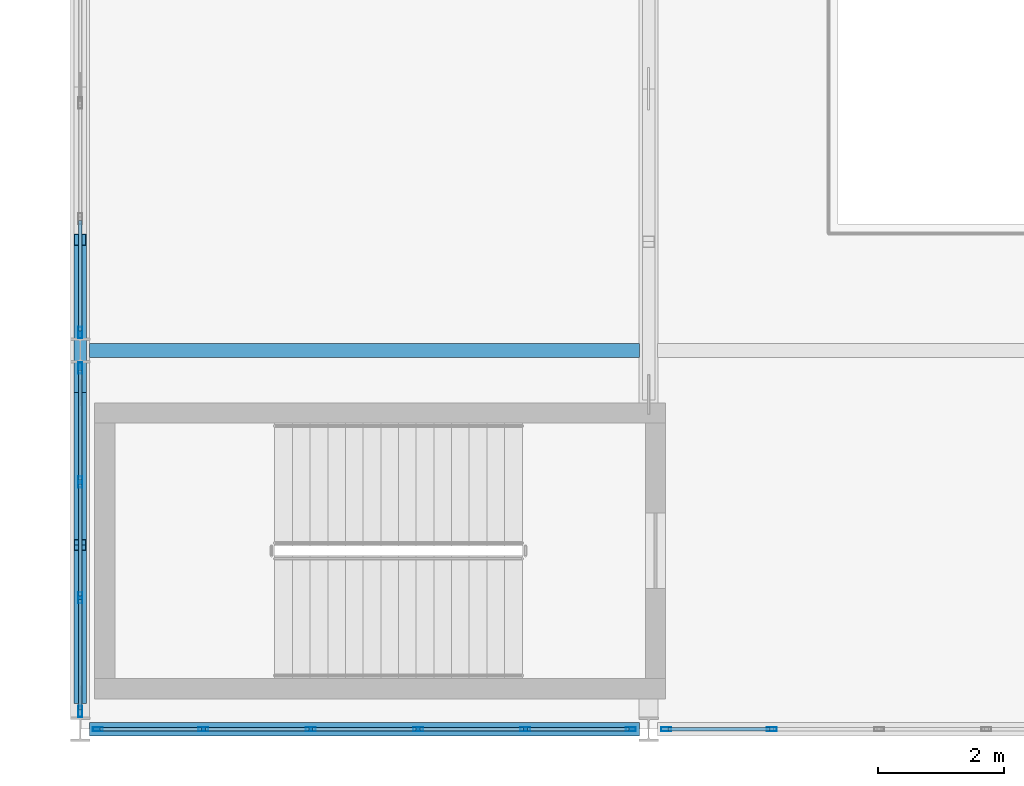
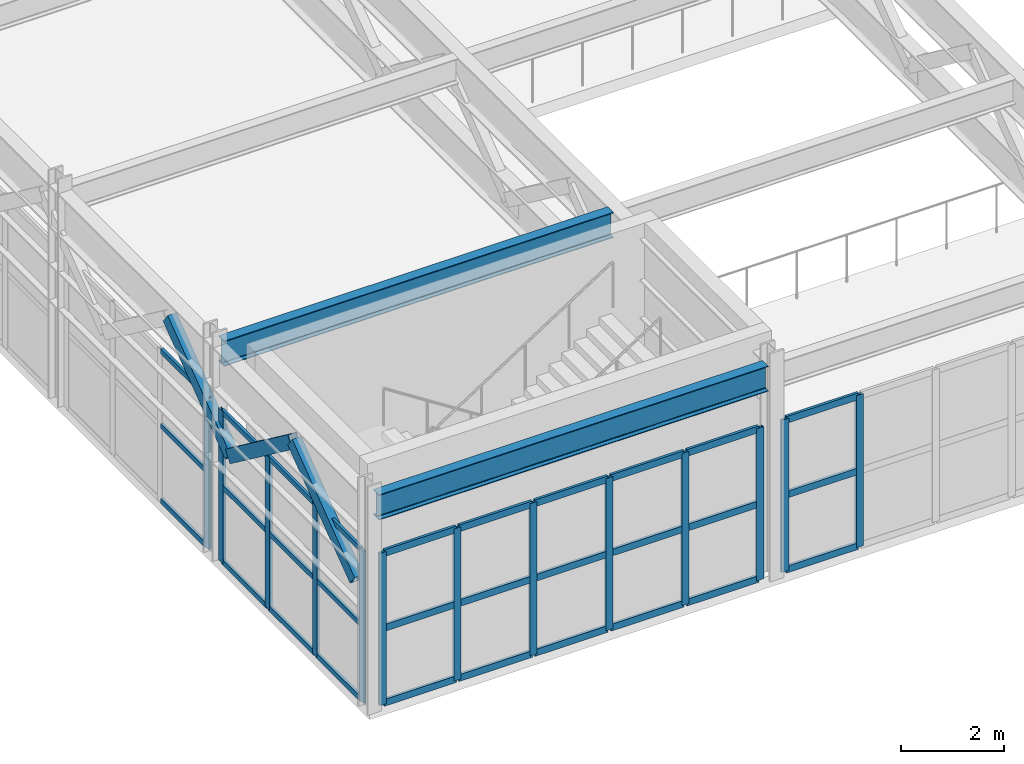
# One storey, part 20 of 210: 46 members, 2 beams, 4 elements without a shape of their own.
"""IFC4 building model written with IfcOpenShell, lengths in metres."""

from ifc_helpers import new_model, si_unit, direction, frame, origin, origin_2d, place, context, subcontext, project, spatial, hollow_rectangle, i_section, extrude, material, material_profile, profile_set, type_object, element, aggregate, save


model = new_model("IFC4")

# Units and contexts
model_context = context("Model", 3, precision=1e-05, world=origin(), true_north=direction((0.0, 1.0)))
body_context = subcontext(model_context, "Body", "Model", "MODEL_VIEW")
ifc_project = project(units=[si_unit("LENGTHUNIT", "METRE"), si_unit("AREAUNIT", "SQUARE_METRE"), si_unit("VOLUMEUNIT", "CUBIC_METRE"), si_unit("PLANEANGLEUNIT", "RADIAN"), si_unit("MASSUNIT", "GRAM", prefix="KILO")], contexts=[model_context])

# Site, building, storey
site_placement = place(None, origin())
site = spatial("IfcSite", under=ifc_project, at=site_placement, CompositionType="ELEMENT")
building_placement = place(site_placement, origin())
building = spatial("IfcBuilding", under=site, at=building_placement, Name="Kaldris Quays Convention Centre", CompositionType="ELEMENT")
storey_placement = place(building_placement, frame((0.0, 0.0, 6.0)))
storey = spatial("IfcBuildingStorey", under=building, at=storey_placement, Name="L01", CompositionType="ELEMENT", Elevation=6.0)

# Curtain wall, members
ifc_material_1 = material(Name="Anodized aluminium AW-6060 and triple glazing", Category="aluminium")
curtain_wall_type = type_object("IfcCurtainWallType", Name="UNITISED CURTAIN WALL CW05", PredefinedType="NOTDEFINED", material=ifc_material_1)
curtain_wall_1_placement = place(storey_placement, origin())
curtain_wall_1 = element("IfcCurtainWall", 1, at=curtain_wall_1_placement, inside=storey, type_object=curtain_wall_type, Name="L01 Unitised Curtain Wall CW05 59", PredefinedType="NOTDEFINED")
ifc_material_2 = material(Name="Anodized aluminium AW-6060", Category="aluminium")
ifc_material_profile_1 = material_profile(ifc_material_2, hollow_rectangle(XDim=0.06005859375, YDim=0.159912109375, WallThickness=0.00390625, at=origin_2d()), Name="RHS 160x60x4")
ifc_profile_set_1 = profile_set([ifc_material_profile_1], Name="Anodized aluminium AW-6060")
member_type_1 = type_object("IfcMemberType", Name="CURTAIN MULLION CWM1", PredefinedType="MULLION", material=ifc_profile_set_1)
member_1_placement = place(storey_placement, frame((20.280029296875, 16.0, 0.0), z_axis=(0.0, 0.0, 1.0), x_axis=(0.0, 1.0, 0.0)))
member_1 = element("IfcMember", 2, at=member_1_placement, type_object=member_type_1, Name="CW05 mullion 1", PredefinedType="MULLION", context=body_context, shape_type="SweptSolid", body=[
    extrude(hollow_rectangle(XDim=0.06005859375, YDim=0.159912109375, WallThickness=0.00390625, at=origin_2d()), origin(), (0.0, 0.0, 1.0), 3.60009765625),
])
member_2_placement = place(storey_placement, frame((21.949951171875, 16.0, 0.0), z_axis=(0.0, 0.0, 1.0), x_axis=(0.0, 1.0, 0.0)))
member_2 = element("IfcMember", 3, at=member_2_placement, type_object=member_type_1, Name="CW05 mullion 2", PredefinedType="MULLION", context=body_context, shape_type="SweptSolid", body=[
    extrude(hollow_rectangle(XDim=0.06005859375, YDim=0.159912109375, WallThickness=0.00390625, at=origin_2d()), origin(), (0.0, 0.0, 1.0), 3.60009765625),
])
member_3_placement = place(storey_placement, frame((23.64990234375, 16.0, 0.0), z_axis=(0.0, 0.0, 1.0), x_axis=(0.0, 1.0, 0.0)))
member_3 = element("IfcMember", 4, at=member_3_placement, type_object=member_type_1, Name="CW05 mullion 3", PredefinedType="MULLION", context=body_context, shape_type="SweptSolid", body=[
    extrude(hollow_rectangle(XDim=0.06005859375, YDim=0.159912109375, WallThickness=0.00390625, at=origin_2d()), origin(), (0.0, 0.0, 1.0), 3.60009765625),
])
member_4_placement = place(storey_placement, frame((25.35009765625, 16.0, 0.0), z_axis=(0.0, 0.0, 1.0), x_axis=(0.0, 1.0, 0.0)))
member_4 = element("IfcMember", 5, at=member_4_placement, type_object=member_type_1, Name="CW05 mullion 4", PredefinedType="MULLION", context=body_context, shape_type="SweptSolid", body=[
    extrude(hollow_rectangle(XDim=0.06005859375, YDim=0.159912109375, WallThickness=0.00390625, at=origin_2d()), origin(), (0.0, 0.0, 1.0), 3.60009765625),
])
member_5_placement = place(storey_placement, frame((27.050048828125, 16.0, 0.0), z_axis=(0.0, 0.0, 1.0), x_axis=(0.0, 1.0, 0.0)))
member_5 = element("IfcMember", 6, at=member_5_placement, type_object=member_type_1, Name="CW05 mullion 5", PredefinedType="MULLION", context=body_context, shape_type="SweptSolid", body=[
    extrude(hollow_rectangle(XDim=0.06005859375, YDim=0.159912109375, WallThickness=0.00390625, at=origin_2d()), origin(), (0.0, 0.0, 1.0), 3.60009765625),
])
member_6_placement = place(storey_placement, frame((28.719970703125, 16.0, 0.0), z_axis=(0.0, 0.0, 1.0), x_axis=(0.0, 1.0, 0.0)))
member_6 = element("IfcMember", 7, at=member_6_placement, type_object=member_type_1, Name="CW05 mullion 6", PredefinedType="MULLION", context=body_context, shape_type="SweptSolid", body=[
    extrude(hollow_rectangle(XDim=0.06005859375, YDim=0.159912109375, WallThickness=0.00390625, at=origin_2d()), origin(), (0.0, 0.0, 1.0), 3.60009765625),
])

curtain_wall_2_placement = place(storey_placement, origin())
curtain_wall_2 = element("IfcCurtainWall", 8, at=curtain_wall_2_placement, inside=storey, type_object=curtain_wall_type, Name="L01 Unitised Curtain Wall CW05 61", PredefinedType="NOTDEFINED")
member_7_placement = place(storey_placement, frame((29.280029296875, 16.0, 0.0), z_axis=(0.0, 0.0, 1.0), x_axis=(0.0, 1.0, 0.0)))
member_7 = element("IfcMember", 9, at=member_7_placement, type_object=member_type_1, Name="CW05 mullion 1", PredefinedType="MULLION", context=body_context, shape_type="SweptSolid", body=[
    extrude(hollow_rectangle(XDim=0.06005859375, YDim=0.159912109375, WallThickness=0.00390625, at=origin_2d()), origin(), (0.0, 0.0, 1.0), 3.60009765625),
])
member_8_placement = place(storey_placement, frame((30.949951171875, 16.0, 0.0), z_axis=(0.0, 0.0, 1.0), x_axis=(0.0, 1.0, 0.0)))
member_8 = element("IfcMember", 10, at=member_8_placement, type_object=member_type_1, Name="CW05 mullion 2", PredefinedType="MULLION", context=body_context, shape_type="SweptSolid", body=[
    extrude(hollow_rectangle(XDim=0.06005859375, YDim=0.159912109375, WallThickness=0.00390625, at=origin_2d()), origin(), (0.0, 0.0, 1.0), 3.60009765625),
])

curtain_wall_3_placement = place(storey_placement, origin())
curtain_wall_3 = element("IfcCurtainWall", 11, at=curtain_wall_3_placement, inside=storey, type_object=curtain_wall_type, Name="L01 Unitised Curtain Wall CW05 73", PredefinedType="NOTDEFINED")
ifc_material_profile_2 = material_profile(ifc_material_2, hollow_rectangle(XDim=0.06005859375, YDim=0.179931640625, WallThickness=0.0048828125, at=origin_2d()), Name="RHS 180x60x5")
ifc_profile_set_2 = profile_set([ifc_material_profile_2], Name="Anodized aluminium AW-6060")
member_type_2 = type_object("IfcMemberType", Name="CURTAIN MULLION CWM2", PredefinedType="MULLION", material=ifc_profile_set_2)
member_9_placement = place(storey_placement, frame((20.0, 16.280029296875, 0.0), z_axis=(0.0, 0.0, 1.0), x_axis=(-1.0, 0.0, 0.0)))
member_9 = element("IfcMember", 12, at=member_9_placement, type_object=member_type_2, Name="CW05 mullion 1", PredefinedType="MULLION", context=body_context, shape_type="SweptSolid", body=[
    extrude(hollow_rectangle(XDim=0.06005859375, YDim=0.179931640625, WallThickness=0.0048828125, at=origin_2d()), origin(), (0.0, 0.0, 1.0), 3.60009765625),
])
member_10_placement = place(storey_placement, frame((20.0, 18.083251953125, 0.0), z_axis=(0.0, 0.0, 1.0), x_axis=(-1.0, 0.0, 0.0)))
member_10 = element("IfcMember", 13, at=member_10_placement, type_object=member_type_2, Name="CW05 mullion 2", PredefinedType="MULLION", context=body_context, shape_type="SweptSolid", body=[
    extrude(hollow_rectangle(XDim=0.06005859375, YDim=0.179931640625, WallThickness=0.0048828125, at=origin_2d()), origin(), (0.0, 0.0, 1.0), 3.60009765625),
])
member_11_placement = place(storey_placement, frame((20.0, 19.916748046875, 0.0), z_axis=(0.0, 0.0, 1.0), x_axis=(-1.0, 0.0, 0.0)))
member_11 = element("IfcMember", 14, at=member_11_placement, type_object=member_type_2, Name="CW05 mullion 3", PredefinedType="MULLION", context=body_context, shape_type="SweptSolid", body=[
    extrude(hollow_rectangle(XDim=0.06005859375, YDim=0.179931640625, WallThickness=0.0048828125, at=origin_2d()), origin(), (0.0, 0.0, 1.0), 3.60009765625),
])
member_12_placement = place(storey_placement, frame((20.0, 21.719970703125, 0.0), z_axis=(0.0, 0.0, 1.0), x_axis=(-1.0, 0.0, 0.0)))
member_12 = element("IfcMember", 15, at=member_12_placement, type_object=member_type_2, Name="CW05 mullion 4", PredefinedType="MULLION", context=body_context, shape_type="SweptSolid", body=[
    extrude(hollow_rectangle(XDim=0.06005859375, YDim=0.179931640625, WallThickness=0.0048828125, at=origin_2d()), origin(), (0.0, 0.0, 1.0), 3.60009765625),
])

# Curtain wall, member
curtain_wall_4_placement = place(storey_placement, origin())
curtain_wall_4 = element("IfcCurtainWall", 16, at=curtain_wall_4_placement, inside=storey, type_object=curtain_wall_type, Name="L01 Unitised Curtain Wall CW05 74", PredefinedType="NOTDEFINED")
member_13_placement = place(storey_placement, frame((20.0, 22.280029296875, 0.0), z_axis=(0.0, 0.0, 1.0), x_axis=(-1.0, 0.0, 0.0)))
member_13 = element("IfcMember", 17, at=member_13_placement, type_object=member_type_2, Name="CW05 mullion 1", PredefinedType="MULLION", context=body_context, shape_type="SweptSolid", body=[
    extrude(hollow_rectangle(XDim=0.06005859375, YDim=0.179931640625, WallThickness=0.0048828125, at=origin_2d()), origin(), (0.0, 0.0, 1.0), 3.60009765625),
])

# Member
ifc_material_profile_3 = material_profile(ifc_material_2, hollow_rectangle(XDim=0.06005859375, YDim=0.1201171875, WallThickness=0.00390625, at=origin_2d()), Name="RHS 120x60x4")
ifc_profile_set_3 = profile_set([ifc_material_profile_3], Name="Anodized aluminium AW-6060")
member_type_3 = type_object("IfcMemberType", Name="CURTAIN TRANSOM CWT1", PredefinedType="USERDEFINED", material=ifc_profile_set_3)
member_14_placement = place(storey_placement, frame((20.0, 16.31005859375, 0.030029296875), z_axis=(0.0, 1.0, 0.0), x_axis=(-1.0, 0.0, 0.0)))
member_14 = element("IfcMember", 18, at=member_14_placement, type_object=member_type_3, Name="CW05 transom 1.1", ObjectType="TRANSOM", PredefinedType="USERDEFINED", context=body_context, shape_type="SweptSolid", body=[
    extrude(hollow_rectangle(XDim=0.06005859375, YDim=0.1201171875, WallThickness=0.00390625, at=origin_2d()), origin(), (0.0, 0.0, 1.0), 1.7431640625),
])

member_15_placement = place(storey_placement, frame((20.0, 16.31005859375, 1.800048828125), z_axis=(0.0, 1.0, 0.0), x_axis=(-1.0, 0.0, 0.0)))
member_15 = element("IfcMember", 19, at=member_15_placement, type_object=member_type_3, Name="CW05 transom 1.2", ObjectType="TRANSOM", PredefinedType="USERDEFINED", context=body_context, shape_type="SweptSolid", body=[
    extrude(hollow_rectangle(XDim=0.06005859375, YDim=0.1201171875, WallThickness=0.00390625, at=origin_2d()), origin(), (0.0, 0.0, 1.0), 1.7431640625),
])

member_16_placement = place(storey_placement, frame((20.0, 16.31005859375, 3.570068359375), z_axis=(0.0, 1.0, 0.0), x_axis=(-1.0, 0.0, 0.0)))
member_16 = element("IfcMember", 20, at=member_16_placement, type_object=member_type_3, Name="CW05 transom 1.3", ObjectType="TRANSOM", PredefinedType="USERDEFINED", context=body_context, shape_type="SweptSolid", body=[
    extrude(hollow_rectangle(XDim=0.06005859375, YDim=0.1201171875, WallThickness=0.00390625, at=origin_2d()), origin(), (0.0, 0.0, 1.0), 1.7431640625),
])

member_17_placement = place(storey_placement, frame((20.0, 18.11328125, 0.030029296875), z_axis=(0.0, 1.0, 0.0), x_axis=(-1.0, 0.0, 0.0)))
member_17 = element("IfcMember", 21, at=member_17_placement, type_object=member_type_3, Name="CW05 transom 2.1", ObjectType="TRANSOM", PredefinedType="USERDEFINED", context=body_context, shape_type="SweptSolid", body=[
    extrude(hollow_rectangle(XDim=0.06005859375, YDim=0.1201171875, WallThickness=0.00390625, at=origin_2d()), origin(), (0.0, 0.0, 1.0), 1.7734375),
])

member_18_placement = place(storey_placement, frame((20.0, 18.11328125, 1.800048828125), z_axis=(0.0, 1.0, 0.0), x_axis=(-1.0, 0.0, 0.0)))
member_18 = element("IfcMember", 22, at=member_18_placement, type_object=member_type_3, Name="CW05 transom 2.2", ObjectType="TRANSOM", PredefinedType="USERDEFINED", context=body_context, shape_type="SweptSolid", body=[
    extrude(hollow_rectangle(XDim=0.06005859375, YDim=0.1201171875, WallThickness=0.00390625, at=origin_2d()), origin(), (0.0, 0.0, 1.0), 1.7734375),
])

member_19_placement = place(storey_placement, frame((20.0, 18.11328125, 3.570068359375), z_axis=(0.0, 1.0, 0.0), x_axis=(-1.0, 0.0, 0.0)))
member_19 = element("IfcMember", 23, at=member_19_placement, type_object=member_type_3, Name="CW05 transom 2.3", ObjectType="TRANSOM", PredefinedType="USERDEFINED", context=body_context, shape_type="SweptSolid", body=[
    extrude(hollow_rectangle(XDim=0.06005859375, YDim=0.1201171875, WallThickness=0.00390625, at=origin_2d()), origin(), (0.0, 0.0, 1.0), 1.7734375),
])

member_20_placement = place(storey_placement, frame((20.0, 19.94677734375, 0.030029296875), z_axis=(0.0, 1.0, 0.0), x_axis=(-1.0, 0.0, 0.0)))
member_20 = element("IfcMember", 24, at=member_20_placement, type_object=member_type_3, Name="CW05 transom 3.1", ObjectType="TRANSOM", PredefinedType="USERDEFINED", context=body_context, shape_type="SweptSolid", body=[
    extrude(hollow_rectangle(XDim=0.06005859375, YDim=0.1201171875, WallThickness=0.00390625, at=origin_2d()), origin(), (0.0, 0.0, 1.0), 1.7431640625),
])

member_21_placement = place(storey_placement, frame((20.0, 19.94677734375, 1.800048828125), z_axis=(0.0, 1.0, 0.0), x_axis=(-1.0, 0.0, 0.0)))
member_21 = element("IfcMember", 25, at=member_21_placement, type_object=member_type_3, Name="CW05 transom 3.2", ObjectType="TRANSOM", PredefinedType="USERDEFINED", context=body_context, shape_type="SweptSolid", body=[
    extrude(hollow_rectangle(XDim=0.06005859375, YDim=0.1201171875, WallThickness=0.00390625, at=origin_2d()), origin(), (0.0, 0.0, 1.0), 1.7431640625),
])

member_22_placement = place(storey_placement, frame((20.0, 19.94677734375, 3.570068359375), z_axis=(0.0, 1.0, 0.0), x_axis=(-1.0, 0.0, 0.0)))
member_22 = element("IfcMember", 26, at=member_22_placement, type_object=member_type_3, Name="CW05 transom 3.3", ObjectType="TRANSOM", PredefinedType="USERDEFINED", context=body_context, shape_type="SweptSolid", body=[
    extrude(hollow_rectangle(XDim=0.06005859375, YDim=0.1201171875, WallThickness=0.00390625, at=origin_2d()), origin(), (0.0, 0.0, 1.0), 1.7431640625),
])

aggregate(curtain_wall_3, [member_9, member_10, member_11, member_12, member_14, member_15, member_16, member_17, member_18, member_19, member_20, member_21, member_22])

member_23_placement = place(storey_placement, frame((20.0, 22.31005859375, 0.030029296875), z_axis=(0.0, 1.0, 0.0), x_axis=(-1.0, 0.0, 0.0)))
member_23 = element("IfcMember", 27, at=member_23_placement, type_object=member_type_3, Name="CW05 transom 1.1", ObjectType="TRANSOM", PredefinedType="USERDEFINED", context=body_context, shape_type="SweptSolid", body=[
    extrude(hollow_rectangle(XDim=0.06005859375, YDim=0.1201171875, WallThickness=0.00390625, at=origin_2d()), origin(), (0.0, 0.0, 1.0), 1.7431640625),
])

member_24_placement = place(storey_placement, frame((20.0, 22.31005859375, 1.800048828125), z_axis=(0.0, 1.0, 0.0), x_axis=(-1.0, 0.0, 0.0)))
member_24 = element("IfcMember", 28, at=member_24_placement, type_object=member_type_3, Name="CW05 transom 1.2", ObjectType="TRANSOM", PredefinedType="USERDEFINED", context=body_context, shape_type="SweptSolid", body=[
    extrude(hollow_rectangle(XDim=0.06005859375, YDim=0.1201171875, WallThickness=0.00390625, at=origin_2d()), origin(), (0.0, 0.0, 1.0), 1.7431640625),
])

member_25_placement = place(storey_placement, frame((20.0, 22.31005859375, 3.570068359375), z_axis=(0.0, 1.0, 0.0), x_axis=(-1.0, 0.0, 0.0)))
member_25 = element("IfcMember", 29, at=member_25_placement, type_object=member_type_3, Name="CW05 transom 1.3", ObjectType="TRANSOM", PredefinedType="USERDEFINED", context=body_context, shape_type="SweptSolid", body=[
    extrude(hollow_rectangle(XDim=0.06005859375, YDim=0.1201171875, WallThickness=0.00390625, at=origin_2d()), origin(), (0.0, 0.0, 1.0), 1.7431640625),
])

aggregate(curtain_wall_4, [member_13, member_23, member_24, member_25])

ifc_material_profile_4 = material_profile(ifc_material_2, hollow_rectangle(XDim=0.06005859375, YDim=0.159912109375, WallThickness=0.00390625, at=origin_2d()), Name="RHS 160x60x4")
ifc_profile_set_4 = profile_set([ifc_material_profile_4], Name="Anodized aluminium AW-6060")
member_type_4 = type_object("IfcMemberType", Name="CURTAIN TRANSOM CWT2", PredefinedType="USERDEFINED", material=ifc_profile_set_4)
member_26_placement = place(storey_placement, frame((20.31005859375, 16.0, 0.030029296875), z_axis=(1.0, 0.0, 0.0), x_axis=(0.0, 1.0, 0.0)))
member_26 = element("IfcMember", 30, at=member_26_placement, type_object=member_type_4, Name="CW05 transom 1.1", ObjectType="TRANSOM", PredefinedType="USERDEFINED", context=body_context, shape_type="SweptSolid", body=[
    extrude(hollow_rectangle(XDim=0.06005859375, YDim=0.159912109375, WallThickness=0.00390625, at=origin_2d()), origin(), (0.0, 0.0, 1.0), 1.60986328125),
])

member_27_placement = place(storey_placement, frame((20.31005859375, 16.0, 1.800048828125), z_axis=(1.0, 0.0, 0.0), x_axis=(0.0, 1.0, 0.0)))
member_27 = element("IfcMember", 31, at=member_27_placement, type_object=member_type_4, Name="CW05 transom 1.2", ObjectType="TRANSOM", PredefinedType="USERDEFINED", context=body_context, shape_type="SweptSolid", body=[
    extrude(hollow_rectangle(XDim=0.06005859375, YDim=0.159912109375, WallThickness=0.00390625, at=origin_2d()), origin(), (0.0, 0.0, 1.0), 1.60986328125),
])

member_28_placement = place(storey_placement, frame((20.31005859375, 16.0, 3.570068359375), z_axis=(1.0, 0.0, 0.0), x_axis=(0.0, 1.0, 0.0)))
member_28 = element("IfcMember", 32, at=member_28_placement, type_object=member_type_4, Name="CW05 transom 1.3", ObjectType="TRANSOM", PredefinedType="USERDEFINED", context=body_context, shape_type="SweptSolid", body=[
    extrude(hollow_rectangle(XDim=0.06005859375, YDim=0.159912109375, WallThickness=0.00390625, at=origin_2d()), origin(), (0.0, 0.0, 1.0), 1.60986328125),
])

member_29_placement = place(storey_placement, frame((21.97998046875, 16.0, 0.030029296875), z_axis=(1.0, 0.0, 0.0), x_axis=(0.0, 1.0, 0.0)))
member_29 = element("IfcMember", 33, at=member_29_placement, type_object=member_type_4, Name="CW05 transom 2.1", ObjectType="TRANSOM", PredefinedType="USERDEFINED", context=body_context, shape_type="SweptSolid", body=[
    extrude(hollow_rectangle(XDim=0.06005859375, YDim=0.159912109375, WallThickness=0.00390625, at=origin_2d()), origin(), (0.0, 0.0, 1.0), 1.64013671875),
])

member_30_placement = place(storey_placement, frame((21.97998046875, 16.0, 1.800048828125), z_axis=(1.0, 0.0, 0.0), x_axis=(0.0, 1.0, 0.0)))
member_30 = element("IfcMember", 34, at=member_30_placement, type_object=member_type_4, Name="CW05 transom 2.2", ObjectType="TRANSOM", PredefinedType="USERDEFINED", context=body_context, shape_type="SweptSolid", body=[
    extrude(hollow_rectangle(XDim=0.06005859375, YDim=0.159912109375, WallThickness=0.00390625, at=origin_2d()), origin(), (0.0, 0.0, 1.0), 1.64013671875),
])

member_31_placement = place(storey_placement, frame((21.97998046875, 16.0, 3.570068359375), z_axis=(1.0, 0.0, 0.0), x_axis=(0.0, 1.0, 0.0)))
member_31 = element("IfcMember", 35, at=member_31_placement, type_object=member_type_4, Name="CW05 transom 2.3", ObjectType="TRANSOM", PredefinedType="USERDEFINED", context=body_context, shape_type="SweptSolid", body=[
    extrude(hollow_rectangle(XDim=0.06005859375, YDim=0.159912109375, WallThickness=0.00390625, at=origin_2d()), origin(), (0.0, 0.0, 1.0), 1.64013671875),
])

member_32_placement = place(storey_placement, frame((23.679931640625, 16.0, 0.030029296875), z_axis=(1.0, 0.0, 0.0), x_axis=(0.0, 1.0, 0.0)))
member_32 = element("IfcMember", 36, at=member_32_placement, type_object=member_type_4, Name="CW05 transom 3.1", ObjectType="TRANSOM", PredefinedType="USERDEFINED", context=body_context, shape_type="SweptSolid", body=[
    extrude(hollow_rectangle(XDim=0.06005859375, YDim=0.159912109375, WallThickness=0.00390625, at=origin_2d()), origin(), (0.0, 0.0, 1.0), 1.64013671875),
])

member_33_placement = place(storey_placement, frame((23.679931640625, 16.0, 1.800048828125), z_axis=(1.0, 0.0, 0.0), x_axis=(0.0, 1.0, 0.0)))
member_33 = element("IfcMember", 37, at=member_33_placement, type_object=member_type_4, Name="CW05 transom 3.2", ObjectType="TRANSOM", PredefinedType="USERDEFINED", context=body_context, shape_type="SweptSolid", body=[
    extrude(hollow_rectangle(XDim=0.06005859375, YDim=0.159912109375, WallThickness=0.00390625, at=origin_2d()), origin(), (0.0, 0.0, 1.0), 1.64013671875),
])

member_34_placement = place(storey_placement, frame((23.679931640625, 16.0, 3.570068359375), z_axis=(1.0, 0.0, 0.0), x_axis=(0.0, 1.0, 0.0)))
member_34 = element("IfcMember", 38, at=member_34_placement, type_object=member_type_4, Name="CW05 transom 3.3", ObjectType="TRANSOM", PredefinedType="USERDEFINED", context=body_context, shape_type="SweptSolid", body=[
    extrude(hollow_rectangle(XDim=0.06005859375, YDim=0.159912109375, WallThickness=0.00390625, at=origin_2d()), origin(), (0.0, 0.0, 1.0), 1.64013671875),
])

member_35_placement = place(storey_placement, frame((25.3798828125, 16.0, 0.030029296875), z_axis=(1.0, 0.0, 0.0), x_axis=(0.0, 1.0, 0.0)))
member_35 = element("IfcMember", 39, at=member_35_placement, type_object=member_type_4, Name="CW05 transom 4.1", ObjectType="TRANSOM", PredefinedType="USERDEFINED", context=body_context, shape_type="SweptSolid", body=[
    extrude(hollow_rectangle(XDim=0.06005859375, YDim=0.159912109375, WallThickness=0.00390625, at=origin_2d()), origin(), (0.0, 0.0, 1.0), 1.64013671875),
])

member_36_placement = place(storey_placement, frame((25.3798828125, 16.0, 1.800048828125), z_axis=(1.0, 0.0, 0.0), x_axis=(0.0, 1.0, 0.0)))
member_36 = element("IfcMember", 40, at=member_36_placement, type_object=member_type_4, Name="CW05 transom 4.2", ObjectType="TRANSOM", PredefinedType="USERDEFINED", context=body_context, shape_type="SweptSolid", body=[
    extrude(hollow_rectangle(XDim=0.06005859375, YDim=0.159912109375, WallThickness=0.00390625, at=origin_2d()), origin(), (0.0, 0.0, 1.0), 1.64013671875),
])

member_37_placement = place(storey_placement, frame((25.3798828125, 16.0, 3.570068359375), z_axis=(1.0, 0.0, 0.0), x_axis=(0.0, 1.0, 0.0)))
member_37 = element("IfcMember", 41, at=member_37_placement, type_object=member_type_4, Name="CW05 transom 4.3", ObjectType="TRANSOM", PredefinedType="USERDEFINED", context=body_context, shape_type="SweptSolid", body=[
    extrude(hollow_rectangle(XDim=0.06005859375, YDim=0.159912109375, WallThickness=0.00390625, at=origin_2d()), origin(), (0.0, 0.0, 1.0), 1.64013671875),
])

member_38_placement = place(storey_placement, frame((27.080078125, 16.0, 0.030029296875), z_axis=(1.0, 0.0, 0.0), x_axis=(0.0, 1.0, 0.0)))
member_38 = element("IfcMember", 42, at=member_38_placement, type_object=member_type_4, Name="CW05 transom 5.1", ObjectType="TRANSOM", PredefinedType="USERDEFINED", context=body_context, shape_type="SweptSolid", body=[
    extrude(hollow_rectangle(XDim=0.06005859375, YDim=0.159912109375, WallThickness=0.00390625, at=origin_2d()), origin(), (0.0, 0.0, 1.0), 1.60986328125),
])

member_39_placement = place(storey_placement, frame((27.080078125, 16.0, 1.800048828125), z_axis=(1.0, 0.0, 0.0), x_axis=(0.0, 1.0, 0.0)))
member_39 = element("IfcMember", 43, at=member_39_placement, type_object=member_type_4, Name="CW05 transom 5.2", ObjectType="TRANSOM", PredefinedType="USERDEFINED", context=body_context, shape_type="SweptSolid", body=[
    extrude(hollow_rectangle(XDim=0.06005859375, YDim=0.159912109375, WallThickness=0.00390625, at=origin_2d()), origin(), (0.0, 0.0, 1.0), 1.60986328125),
])

member_40_placement = place(storey_placement, frame((27.080078125, 16.0, 3.570068359375), z_axis=(1.0, 0.0, 0.0), x_axis=(0.0, 1.0, 0.0)))
member_40 = element("IfcMember", 44, at=member_40_placement, type_object=member_type_4, Name="CW05 transom 5.3", ObjectType="TRANSOM", PredefinedType="USERDEFINED", context=body_context, shape_type="SweptSolid", body=[
    extrude(hollow_rectangle(XDim=0.06005859375, YDim=0.159912109375, WallThickness=0.00390625, at=origin_2d()), origin(), (0.0, 0.0, 1.0), 1.60986328125),
])

aggregate(curtain_wall_1, [member_1, member_2, member_3, member_4, member_5, member_6, member_26, member_27, member_28, member_29, member_30, member_31, member_32, member_33, member_34, member_35, member_36, member_37, member_38, member_39, member_40])

member_41_placement = place(storey_placement, frame((29.31005859375, 16.0, 0.030029296875), z_axis=(1.0, 0.0, 0.0), x_axis=(0.0, 1.0, 0.0)))
member_41 = element("IfcMember", 45, at=member_41_placement, type_object=member_type_4, Name="CW05 transom 1.1", ObjectType="TRANSOM", PredefinedType="USERDEFINED", context=body_context, shape_type="SweptSolid", body=[
    extrude(hollow_rectangle(XDim=0.06005859375, YDim=0.159912109375, WallThickness=0.00390625, at=origin_2d()), origin(), (0.0, 0.0, 1.0), 1.60986328125),
])

member_42_placement = place(storey_placement, frame((29.31005859375, 16.0, 1.800048828125), z_axis=(1.0, 0.0, 0.0), x_axis=(0.0, 1.0, 0.0)))
member_42 = element("IfcMember", 46, at=member_42_placement, type_object=member_type_4, Name="CW05 transom 1.2", ObjectType="TRANSOM", PredefinedType="USERDEFINED", context=body_context, shape_type="SweptSolid", body=[
    extrude(hollow_rectangle(XDim=0.06005859375, YDim=0.159912109375, WallThickness=0.00390625, at=origin_2d()), origin(), (0.0, 0.0, 1.0), 1.60986328125),
])

member_43_placement = place(storey_placement, frame((29.31005859375, 16.0, 3.570068359375), z_axis=(1.0, 0.0, 0.0), x_axis=(0.0, 1.0, 0.0)))
member_43 = element("IfcMember", 47, at=member_43_placement, type_object=member_type_4, Name="CW05 transom 1.3", ObjectType="TRANSOM", PredefinedType="USERDEFINED", context=body_context, shape_type="SweptSolid", body=[
    extrude(hollow_rectangle(XDim=0.06005859375, YDim=0.159912109375, WallThickness=0.00390625, at=origin_2d()), origin(), (0.0, 0.0, 1.0), 1.60986328125),
])

aggregate(curtain_wall_2, [member_7, member_8, member_41, member_42, member_43])

# Beams
ifc_material_3 = material(Name="Steel S355J2", Category="steel")
ifc_material_profile_5 = material_profile(ifc_material_3, i_section(OverallWidth=0.219970703125, OverallDepth=0.60009765625, WebThickness=0.011962890625, FlangeThickness=0.01904296875, FilletRadius=0.02392578125, at=origin_2d()), Name="IPE 600")
ifc_profile_set_5 = profile_set([ifc_material_profile_5], Name="Steel S355J2")
beam_type = type_object("IfcBeamType", Name="STRUCTURAL BEAM BM10", PredefinedType="BEAM", material=ifc_profile_set_5)
for number, where, z_axis, x_axis, name in (
    (48, (20.14501953125, 16.0, 4.758056640625), (1.0, 0.0, 0.0), (0.0, 1.0, 0.0), "L01 Ballroom Tie Beam BM10"),
    (49, (20.14501953125, 22.0, 4.758056640625), (1.0, 0.0, 0.0), (0.0, 1.0, 0.0), "L01 Ballroom Tie Beam BM10"),
):
    element("IfcBeam", number, at=place(storey_placement, frame(where, z_axis=z_axis, x_axis=x_axis)), inside=storey, type_object=beam_type, Name=name, PredefinedType="BEAM", context=body_context, shape_type="SweptSolid", body=[
        extrude(i_section(OverallWidth=0.219970703125, OverallDepth=0.60009765625, WebThickness=0.011962890625, FlangeThickness=0.01904296875, FilletRadius=0.02392578125, at=origin_2d()), origin(), (0.0, 0.0, 1.0), 8.7099609375),
    ])

# Members
ifc_material_4 = material(Name="Steel S355J2H", Category="steel")
ifc_material_profile_6 = material_profile(ifc_material_4, hollow_rectangle(XDim=0.199951171875, YDim=0.300048828125, WallThickness=0.012451171875, at=origin_2d()), Name="RHS 300x200x12.5")
ifc_profile_set_6 = profile_set([ifc_material_profile_6], Name="Steel S355J2H")
member_type_5 = type_object("IfcMemberType", Name="STRUCTURAL MEMBER TTD1", PredefinedType="BRACE", material=ifc_profile_set_6)
member_44_placement = place(storey_placement, frame((20.0, 16.5, 2.75), z_axis=(0.0, 0.800708018983, 0.599054812464), x_axis=(-1.0, 0.0, 0.0)))
element("IfcMember", 50, at=member_44_placement, inside=storey, type_object=member_type_5, Name="Transfer Truss TT01 Diagonal 1", PredefinedType="BRACE", context=body_context, shape_type="SweptSolid", body=[
    extrude(hollow_rectangle(XDim=0.199951171875, YDim=0.300048828125, WallThickness=0.012451171875, at=origin_2d()), origin(), (0.0, 0.0, 1.0), 3.018310546875),
])
member_45_placement = place(storey_placement, frame((20.0, 21.333251953125, 2.75), z_axis=(0.0, -0.800678988238, 0.599093613548), x_axis=(1.0, 0.0, 0.0)))
element("IfcMember", 51, at=member_45_placement, inside=storey, type_object=member_type_5, Name="Transfer Truss TT01 Diagonal 2", PredefinedType="BRACE", context=body_context, shape_type="SweptSolid", body=[
    extrude(hollow_rectangle(XDim=0.199951171875, YDim=0.300048828125, WallThickness=0.012451171875, at=origin_2d()), origin(), (0.0, 0.0, 1.0), 3.01806640625),
])
member_46_placement = place(storey_placement, frame((20.0, 21.333251953125, 2.75), z_axis=(0.0, 0.800708018983, 0.599054812464), x_axis=(-1.0, 0.0, 0.0)))
element("IfcMember", 52, at=member_46_placement, inside=storey, type_object=member_type_5, Name="Transfer Truss TT01 Diagonal 3", PredefinedType="BRACE", context=body_context, shape_type="SweptSolid", body=[
    extrude(hollow_rectangle(XDim=0.199951171875, YDim=0.300048828125, WallThickness=0.012451171875, at=origin_2d()), origin(), (0.0, 0.0, 1.0), 3.018310546875),
])

save(model, "model.ifc")
